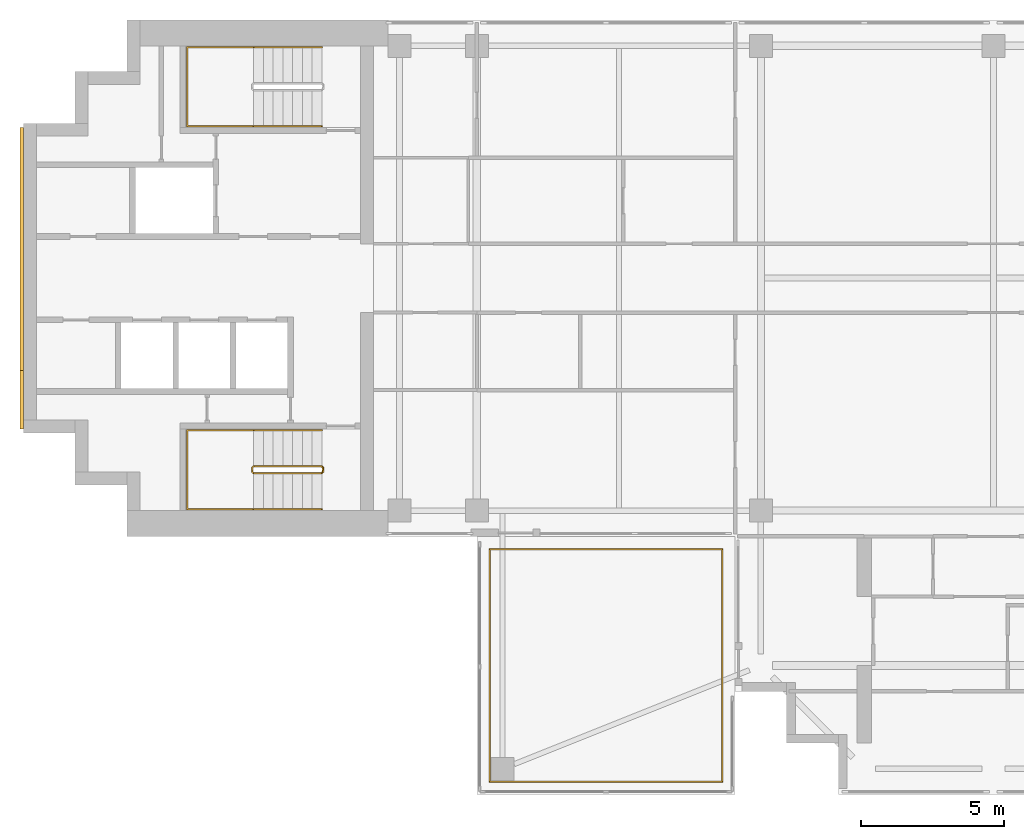
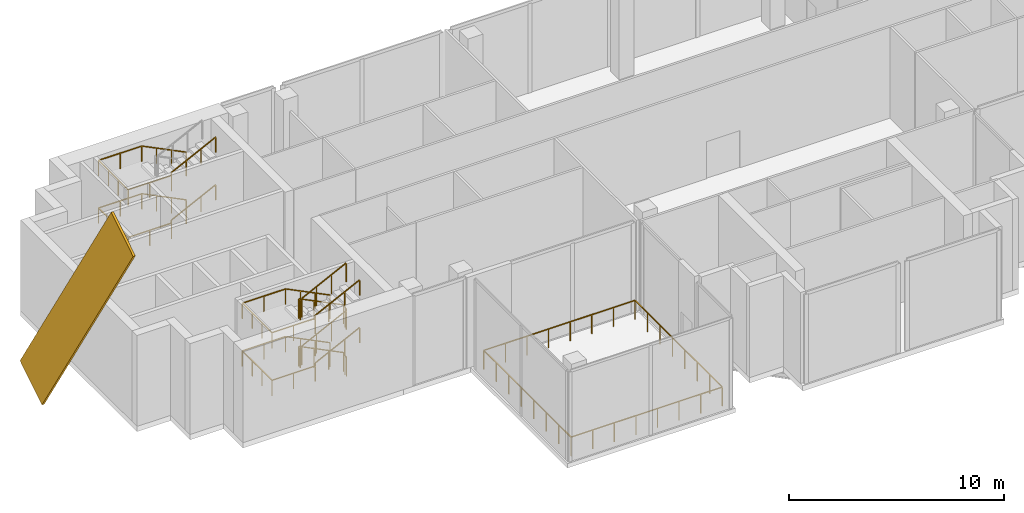
# One storey, part 12 of 14: 6 railings, 1 covering.
"""IFC4 building model written with IfcOpenShell, lengths in metres."""

from ifc_helpers import new_model, si_unit, direction, frame, origin, origin_2d, place, context, subcontext, project, spatial, rectangle, extrude, material, material_profile, profile_set, type_object, element, save


model = new_model("IFC4")

# Units and contexts
model_context = context("Model", 3, precision=1e-05, world=origin(), true_north=direction((0.0, 1.0)))
body_context = subcontext(model_context, "Body", "Model", "MODEL_VIEW")
ifc_project = project(units=[si_unit("LENGTHUNIT", "METRE"), si_unit("AREAUNIT", "SQUARE_METRE"), si_unit("VOLUMEUNIT", "CUBIC_METRE"), si_unit("PLANEANGLEUNIT", "RADIAN"), si_unit("MASSUNIT", "GRAM", prefix="KILO")], contexts=[model_context])

# Site, building, storey
site_placement = place(None, origin())
site = spatial("IfcSite", under=ifc_project, at=site_placement, CompositionType="ELEMENT")
building_placement = place(site_placement, origin())
building = spatial("IfcBuilding", under=site, at=building_placement, Name="Perihelion Cross Residences", CompositionType="ELEMENT")
storey_placement = place(building_placement, frame((0.0, 0.0, 285.0)))
storey = spatial("IfcBuildingStorey", under=building, at=storey_placement, Name="L73", CompositionType="ELEMENT", Elevation=285.0)

# Railing
ifc_material_1 = material(Name="Bronze anodised aluminium", Category="aluminium")
railing_type_1 = type_object("IfcRailingType", Name="Balcony guard 1100", PredefinedType="GUARDRAIL", material=ifc_material_1)
railing_1_placement = place(storey_placement, frame((-9.449951171875, -17.550048828125, 0.0)))
element("IfcRailing", 1, at=railing_1_placement, inside=storey, type_object=railing_type_1, Name="Guard GU1 L73 pocket south-west 1", PredefinedType="GUARDRAIL", context=body_context, shape_type="SweptSolid", body=[
    extrude(rectangle(XDim=0.048095703125, YDim=0.048095703125, at=origin_2d()), frame((0.0, 0.0, 1.076171875), z_axis=(-1.0, 0.0, 0.0), x_axis=(0.0, -1.0, 0.0)), (0.0, 0.0, 1.0), 8.10009765625),
    extrude(rectangle(XDim=0.048095703125, YDim=0.048095703125, at=origin_2d()), frame((-8.10009765625, 0.0, 1.076171875), z_axis=(0.0, 1.0, 0.0), x_axis=(-1.0, 0.0, 0.0)), (0.0, 0.0, 1.0), 8.10009765625),
    extrude(rectangle(XDim=0.048095703125, YDim=0.048095703125, at=origin_2d()), frame((-8.10009765625, 8.10009765625, 1.076171875), z_axis=(1.0, 0.0, 0.0), x_axis=(0.0, 1.0, 0.0)), (0.0, 0.0, 1.0), 8.10009765625),
    extrude(rectangle(XDim=0.048095703125, YDim=0.048095703125, at=origin_2d()), frame((0.0, 8.10009765625, 1.076171875), z_axis=(0.0, -1.0, 0.0), x_axis=(1.0, 0.0, 0.0)), (0.0, 0.0, 1.0), 8.10009765625),
    extrude(rectangle(XDim=0.0419921875, YDim=0.0419921875, at=origin_2d()), origin(), (0.0, 0.0, 1.0), 1.052001953125),
    extrude(rectangle(XDim=0.0419921875, YDim=0.0419921875, at=origin_2d()), frame((-1.1572265625, 0.0, 0.0)), (0.0, 0.0, 1.0), 1.052001953125),
    extrude(rectangle(XDim=0.0419921875, YDim=0.0419921875, at=origin_2d()), frame((-2.314208984375, 0.0, 0.0)), (0.0, 0.0, 1.0), 1.052001953125),
    extrude(rectangle(XDim=0.0419921875, YDim=0.0419921875, at=origin_2d()), frame((-3.471435546875, 0.0, 0.0)), (0.0, 0.0, 1.0), 1.052001953125),
    extrude(rectangle(XDim=0.0419921875, YDim=0.0419921875, at=origin_2d()), frame((-4.628662109375, 0.0, 0.0)), (0.0, 0.0, 1.0), 1.052001953125),
    extrude(rectangle(XDim=0.0419921875, YDim=0.0419921875, at=origin_2d()), frame((-5.785888671875, 0.0, 0.0)), (0.0, 0.0, 1.0), 1.052001953125),
    extrude(rectangle(XDim=0.0419921875, YDim=0.0419921875, at=origin_2d()), frame((-6.94287109375, 0.0, 0.0)), (0.0, 0.0, 1.0), 1.052001953125),
    extrude(rectangle(XDim=0.0419921875, YDim=0.0419921875, at=origin_2d()), frame((-8.10009765625, 0.0, 0.0)), (0.0, 0.0, 1.0), 1.052001953125),
    extrude(rectangle(XDim=0.0419921875, YDim=0.0419921875, at=origin_2d()), frame((-8.10009765625, 1.1572265625, 0.0)), (0.0, 0.0, 1.0), 1.052001953125),
    extrude(rectangle(XDim=0.0419921875, YDim=0.0419921875, at=origin_2d()), frame((-8.10009765625, 2.314208984375, 0.0)), (0.0, 0.0, 1.0), 1.052001953125),
    extrude(rectangle(XDim=0.0419921875, YDim=0.0419921875, at=origin_2d()), frame((-8.10009765625, 3.471435546875, 0.0)), (0.0, 0.0, 1.0), 1.052001953125),
    extrude(rectangle(XDim=0.0419921875, YDim=0.0419921875, at=origin_2d()), frame((-8.10009765625, 4.628662109375, 0.0)), (0.0, 0.0, 1.0), 1.052001953125),
    extrude(rectangle(XDim=0.0419921875, YDim=0.0419921875, at=origin_2d()), frame((-8.10009765625, 5.785888671875, 0.0)), (0.0, 0.0, 1.0), 1.052001953125),
    extrude(rectangle(XDim=0.0419921875, YDim=0.0419921875, at=origin_2d()), frame((-8.10009765625, 6.94287109375, 0.0)), (0.0, 0.0, 1.0), 1.052001953125),
    extrude(rectangle(XDim=0.0419921875, YDim=0.0419921875, at=origin_2d()), frame((-8.10009765625, 8.10009765625, 0.0)), (0.0, 0.0, 1.0), 1.052001953125),
    extrude(rectangle(XDim=0.0419921875, YDim=0.0419921875, at=origin_2d()), frame((-6.94287109375, 8.10009765625, 0.0)), (0.0, 0.0, 1.0), 1.052001953125),
    extrude(rectangle(XDim=0.0419921875, YDim=0.0419921875, at=origin_2d()), frame((-5.785888671875, 8.10009765625, 0.0)), (0.0, 0.0, 1.0), 1.052001953125),
    extrude(rectangle(XDim=0.0419921875, YDim=0.0419921875, at=origin_2d()), frame((-4.628662109375, 8.10009765625, 0.0)), (0.0, 0.0, 1.0), 1.052001953125),
    extrude(rectangle(XDim=0.0419921875, YDim=0.0419921875, at=origin_2d()), frame((-3.471435546875, 8.10009765625, 0.0)), (0.0, 0.0, 1.0), 1.052001953125),
    extrude(rectangle(XDim=0.0419921875, YDim=0.0419921875, at=origin_2d()), frame((-2.314208984375, 8.10009765625, 0.0)), (0.0, 0.0, 1.0), 1.052001953125),
    extrude(rectangle(XDim=0.0419921875, YDim=0.0419921875, at=origin_2d()), frame((-1.1572265625, 8.10009765625, 0.0)), (0.0, 0.0, 1.0), 1.052001953125),
    extrude(rectangle(XDim=0.0419921875, YDim=0.0419921875, at=origin_2d()), frame((0.0, 8.10009765625, 0.0)), (0.0, 0.0, 1.0), 1.052001953125),
    extrude(rectangle(XDim=0.0419921875, YDim=0.0419921875, at=origin_2d()), frame((0.0, 6.94287109375, 0.0)), (0.0, 0.0, 1.0), 1.052001953125),
    extrude(rectangle(XDim=0.0419921875, YDim=0.0419921875, at=origin_2d()), frame((0.0, 5.785888671875, 0.0)), (0.0, 0.0, 1.0), 1.052001953125),
    extrude(rectangle(XDim=0.0419921875, YDim=0.0419921875, at=origin_2d()), frame((0.0, 4.628662109375, 0.0)), (0.0, 0.0, 1.0), 1.052001953125),
    extrude(rectangle(XDim=0.0419921875, YDim=0.0419921875, at=origin_2d()), frame((0.0, 3.471435546875, 0.0)), (0.0, 0.0, 1.0), 1.052001953125),
    extrude(rectangle(XDim=0.0419921875, YDim=0.0419921875, at=origin_2d()), frame((0.0, 2.314208984375, 0.0)), (0.0, 0.0, 1.0), 1.052001953125),
    extrude(rectangle(XDim=0.0419921875, YDim=0.0419921875, at=origin_2d()), frame((0.0, 1.1572265625, 0.0)), (0.0, 0.0, 1.0), 1.052001953125),
])

# Covering
ifc_material_2 = material(Name="Bronze anodised aluminium", Category="aluminium")
ifc_material_profile = material_profile(ifc_material_2, rectangle(XDim=0.125, YDim=2.39990234375, at=origin_2d()), Name="Bronze cladding band 2400")
ifc_profile_set = profile_set([ifc_material_profile], Name="Bronze anodised aluminium")
covering_type = type_object("IfcCoveringType", Name="Bronze cladding band 2400", PredefinedType="CLADDING", material=ifc_profile_set)
covering_placement = place(storey_placement, frame((-33.862548828125, 4.232421875, -3.325927734375), z_axis=(0.0, -0.529924750763, 0.848044667767), x_axis=(1.0, 0.0, 0.0)))
element("IfcCovering", 2, at=covering_placement, inside=storey, type_object=covering_type, Name="Core cladding band, west core", PredefinedType="CLADDING", context=body_context, shape_type="SweptSolid", body=[
    extrude(rectangle(XDim=0.125, YDim=2.39990234375, at=origin_2d()), origin(), (0.0, 0.0, 1.0), 15.9736328125),
])

# Railings
ifc_material_3 = material(Name="Stainless steel", Category="steel")
railing_type_2 = type_object("IfcRailingType", Name="Stair guard 1100", PredefinedType="GUARDRAIL", material=ifc_material_3)
railing_2_placement = place(storey_placement, frame((-23.35009765625, -6.75, 0.0)))
element("IfcRailing", 3, at=railing_2_placement, inside=storey, type_object=railing_type_2, Name="L73 ST-W2 stair guard 1", PredefinedType="GUARDRAIL", context=body_context, shape_type="SweptSolid", body=[
    extrude(rectangle(XDim=0.048095703125, YDim=0.048095703125, at=origin_2d()), frame((0.0, 0.0, 1.076171875), z_axis=(0.0, 1.0, 0.0), x_axis=(-1.0, 0.0, 0.0)), (0.0, 0.0, 1.0), 0.14990234375),
    extrude(rectangle(XDim=0.048095703125, YDim=0.048095703125, at=origin_2d()), frame((0.0, 0.14990234375, 1.076171875), z_axis=(-0.272333783174, 0.273668752699, 0.922463942026), x_axis=(-0.708833529934, -0.705375805398, 0.0)), (0.0, 0.0, 1.0), 0.182861328125),
    extrude(rectangle(XDim=0.048095703125, YDim=0.048095703125, at=origin_2d()), frame((-0.0498046875, 0.199951171875, 1.24462890625), z_axis=(-0.895728066128, 0.0, 0.444602329674), x_axis=(0.0, -1.0, 0.0)), (0.0, 0.0, 1.0), 2.6572265625),
    extrude(rectangle(XDim=0.048095703125, YDim=0.048095703125, at=origin_2d()), frame((-2.429931640625, 0.199951171875, 2.42626953125), z_axis=(-0.707106781187, -0.707106781187, 0.0), x_axis=(0.707106781187, -0.707106781187, 0.0)), (0.0, 0.0, 1.0), 0.07080078125),
    extrude(rectangle(XDim=0.048095703125, YDim=0.048095703125, at=origin_2d()), frame((-2.47998046875, 0.14990234375, 2.42626953125), z_axis=(0.0, -1.0, 0.0), x_axis=(1.0, 0.0, 0.0)), (0.0, 0.0, 1.0), 0.14990234375),
    extrude(rectangle(XDim=0.048095703125, YDim=0.048095703125, at=origin_2d()), frame((-2.47998046875, 0.0, 2.42626953125), z_axis=(0.273569069059, -0.273569069059, 0.922127935218), x_axis=(0.707106781187, 0.707106781187, 0.0)), (0.0, 0.0, 1.0), 0.182861328125),
    extrude(rectangle(XDim=0.048095703125, YDim=0.048095703125, at=origin_2d()), frame((-2.429931640625, -0.050048828125, 2.5947265625), z_axis=(0.895764654725, 0.0, 0.444528608017), x_axis=(0.0, 1.0, 0.0)), (0.0, 0.0, 1.0), 2.656982421875),
    extrude(rectangle(XDim=0.048095703125, YDim=0.048095703125, at=origin_2d()), frame((-0.0498046875, -0.050048828125, 3.77587890625), z_axis=(0.241699205484, 0.970351222016, 0.0), x_axis=(-0.970351222016, 0.241699205484, 0.0)), (0.0, 0.0, 1.0), 0.2060546875),
    extrude(rectangle(XDim=0.048095703125, YDim=0.048095703125, at=origin_2d()), frame((0.0, 0.14990234375, 3.77587890625), z_axis=(0.0, -1.0, 0.0), x_axis=(1.0, 0.0, 0.0)), (0.0, 0.0, 1.0), 0.14990234375),
    extrude(rectangle(XDim=0.048095703125, YDim=0.048095703125, at=origin_2d()), frame((0.0, 0.0, 3.77587890625), z_axis=(-0.187017651923, 0.750820867278, 0.633476458228), x_axis=(-0.970351222016, -0.241699205484, 0.0)), (0.0, 0.0, 1.0), 0.266357421875),
    extrude(rectangle(XDim=0.048095703125, YDim=0.048095703125, at=origin_2d()), frame((-0.0498046875, 0.199951171875, 3.94482421875), z_axis=(-0.895728066128, 0.0, 0.444602329674), x_axis=(0.0, -1.0, 0.0)), (0.0, 0.0, 1.0), 2.6572265625),
    extrude(rectangle(XDim=0.048095703125, YDim=0.048095703125, at=origin_2d()), frame((-2.429931640625, 0.199951171875, 5.1259765625), z_axis=(-0.707106781187, -0.707106781187, 0.0), x_axis=(0.707106781187, -0.707106781187, 0.0)), (0.0, 0.0, 1.0), 0.07080078125),
    extrude(rectangle(XDim=0.048095703125, YDim=0.048095703125, at=origin_2d()), frame((-2.47998046875, 0.14990234375, 5.1259765625), z_axis=(0.0, -1.0, 0.0), x_axis=(1.0, 0.0, 0.0)), (0.0, 0.0, 1.0), 0.14990234375),
    extrude(rectangle(XDim=0.048095703125, YDim=0.048095703125, at=origin_2d()), frame((-2.47998046875, 0.0, 5.1259765625), z_axis=(0.273569069059, -0.273569069059, 0.922127935218), x_axis=(0.707106781187, 0.707106781187, 0.0)), (0.0, 0.0, 1.0), 0.182861328125),
    extrude(rectangle(XDim=0.048095703125, YDim=0.048095703125, at=origin_2d()), frame((-2.429931640625, -0.050048828125, 5.294921875), z_axis=(0.895764654725, 0.0, 0.444528608017), x_axis=(0.0, 1.0, 0.0)), (0.0, 0.0, 1.0), 2.656982421875),
    extrude(rectangle(XDim=0.0419921875, YDim=0.0419921875, at=origin_2d()), origin(), (0.0, 0.0, 1.0), 1.052001953125),
    extrude(rectangle(XDim=0.0419921875, YDim=0.0419921875, at=origin_2d()), frame((0.0, 0.14990234375, 0.0)), (0.0, 0.0, 1.0), 1.052001953125),
    extrude(rectangle(XDim=0.0419921875, YDim=0.0419921875, at=origin_2d()), frame((-0.0498046875, 0.199951171875, 0.168701171875)), (0.0, 0.0, 1.0), 1.052001953125),
    extrude(rectangle(XDim=0.0419921875, YDim=0.0419921875, at=origin_2d()), frame((-0.84326171875, 0.199951171875, 0.5625)), (0.0, 0.0, 1.0), 1.052001953125),
    extrude(rectangle(XDim=0.0419921875, YDim=0.0419921875, at=origin_2d()), frame((-1.636474609375, 0.199951171875, 0.956298828125)), (0.0, 0.0, 1.0), 1.052001953125),
    extrude(rectangle(XDim=0.0419921875, YDim=0.0419921875, at=origin_2d()), frame((-2.429931640625, 0.199951171875, 1.35009765625)), (0.0, 0.0, 1.0), 1.052001953125),
    extrude(rectangle(XDim=0.0419921875, YDim=0.0419921875, at=origin_2d()), frame((-2.47998046875, 0.14990234375, 1.35009765625)), (0.0, 0.0, 1.0), 1.052001953125),
    extrude(rectangle(XDim=0.0419921875, YDim=0.0419921875, at=origin_2d()), frame((-2.47998046875, 0.0, 1.35009765625)), (0.0, 0.0, 1.0), 1.052001953125),
    extrude(rectangle(XDim=0.0419921875, YDim=0.0419921875, at=origin_2d()), frame((-2.429931640625, -0.050048828125, 1.518798828125)), (0.0, 0.0, 1.0), 1.052001953125),
    extrude(rectangle(XDim=0.0419921875, YDim=0.0419921875, at=origin_2d()), frame((-1.636474609375, -0.050048828125, 1.91259765625)), (0.0, 0.0, 1.0), 1.052001953125),
    extrude(rectangle(XDim=0.0419921875, YDim=0.0419921875, at=origin_2d()), frame((-0.84326171875, -0.050048828125, 2.30615234375)), (0.0, 0.0, 1.0), 1.052001953125),
    extrude(rectangle(XDim=0.0419921875, YDim=0.0419921875, at=origin_2d()), frame((-0.0498046875, -0.050048828125, 2.699951171875)), (0.0, 0.0, 1.0), 1.052001953125),
    extrude(rectangle(XDim=0.0419921875, YDim=0.0419921875, at=origin_2d()), frame((0.0, 0.14990234375, 2.699951171875)), (0.0, 0.0, 1.0), 1.052001953125),
    extrude(rectangle(XDim=0.0419921875, YDim=0.0419921875, at=origin_2d()), frame((0.0, 0.0, 2.699951171875)), (0.0, 0.0, 1.0), 1.052001953125),
    extrude(rectangle(XDim=0.0419921875, YDim=0.0419921875, at=origin_2d()), frame((-0.0498046875, 0.199951171875, 2.86865234375)), (0.0, 0.0, 1.0), 1.052001953125),
    extrude(rectangle(XDim=0.0419921875, YDim=0.0419921875, at=origin_2d()), frame((-0.84326171875, 0.199951171875, 3.262451171875)), (0.0, 0.0, 1.0), 1.052001953125),
    extrude(rectangle(XDim=0.0419921875, YDim=0.0419921875, at=origin_2d()), frame((-1.636474609375, 0.199951171875, 3.65625)), (0.0, 0.0, 1.0), 1.052001953125),
    extrude(rectangle(XDim=0.0419921875, YDim=0.0419921875, at=origin_2d()), frame((-2.429931640625, 0.199951171875, 4.050048828125)), (0.0, 0.0, 1.0), 1.052001953125),
    extrude(rectangle(XDim=0.0419921875, YDim=0.0419921875, at=origin_2d()), frame((-2.47998046875, 0.14990234375, 4.050048828125)), (0.0, 0.0, 1.0), 1.052001953125),
    extrude(rectangle(XDim=0.0419921875, YDim=0.0419921875, at=origin_2d()), frame((-2.47998046875, 0.0, 4.050048828125)), (0.0, 0.0, 1.0), 1.052001953125),
    extrude(rectangle(XDim=0.0419921875, YDim=0.0419921875, at=origin_2d()), frame((-2.429931640625, -0.050048828125, 4.21875)), (0.0, 0.0, 1.0), 1.052001953125),
    extrude(rectangle(XDim=0.0419921875, YDim=0.0419921875, at=origin_2d()), frame((-1.636474609375, -0.050048828125, 4.612548828125)), (0.0, 0.0, 1.0), 1.052001953125),
    extrude(rectangle(XDim=0.0419921875, YDim=0.0419921875, at=origin_2d()), frame((-0.84326171875, -0.050048828125, 5.006103515625)), (0.0, 0.0, 1.0), 1.052001953125),
    extrude(rectangle(XDim=0.0419921875, YDim=0.0419921875, at=origin_2d()), frame((-0.0498046875, -0.050048828125, 5.39990234375)), (0.0, 0.0, 1.0), 1.052001953125),
])
ifc_material_4 = material(Name="Stainless steel", Category="steel")
railing_type_3 = type_object("IfcRailingType", Name="Stair handrail 900", PredefinedType="HANDRAIL", material=ifc_material_4)
railing_3_placement = place(storey_placement, frame((-23.39990234375, 8.050048828125, 0.168701171875)))
element("IfcRailing", 4, at=railing_3_placement, inside=storey, type_object=railing_type_3, Name="L73 ST-W1 stair handrail 1", PredefinedType="HANDRAIL", context=body_context, shape_type="SweptSolid", body=[
    extrude(rectangle(XDim=0.048095703125, YDim=0.048095703125, at=origin_2d()), frame((0.0, 0.0, 0.8759765625), z_axis=(-0.895728066128, 0.0, 0.444602329674), x_axis=(0.0, -1.0, 0.0)), (0.0, 0.0, 1.0), 2.6572265625),
    extrude(rectangle(XDim=0.048095703125, YDim=0.048095703125, at=origin_2d()), frame((-2.380126953125, 0.0, 2.05712890625), z_axis=(-1.0, 0.0, 0.0), x_axis=(0.0, -1.0, 0.0)), (0.0, 0.0, 1.0), 2.320068359375),
    extrude(rectangle(XDim=0.048095703125, YDim=0.048095703125, at=origin_2d()), frame((-4.7001953125, 0.0, 2.05712890625), z_axis=(0.0, -1.0, 0.0), x_axis=(1.0, 0.0, 0.0)), (0.0, 0.0, 1.0), 2.75),
    extrude(rectangle(XDim=0.048095703125, YDim=0.048095703125, at=origin_2d()), frame((-4.7001953125, -2.75, 2.05712890625), z_axis=(1.0, 0.0, 0.0), x_axis=(0.0, 1.0, 0.0)), (0.0, 0.0, 1.0), 2.320068359375),
    extrude(rectangle(XDim=0.048095703125, YDim=0.048095703125, at=origin_2d()), frame((-2.380126953125, -2.75, 2.05712890625), z_axis=(0.0, 0.0, 1.0), x_axis=(1.0, 0.0, 0.0)), (0.0, 0.0, 1.0), 0.168701171875),
    extrude(rectangle(XDim=0.048095703125, YDim=0.048095703125, at=origin_2d()), frame((-2.380126953125, -2.75, 2.22607421875), z_axis=(0.895764654725, 0.0, 0.444528608017), x_axis=(0.0, 1.0, 0.0)), (0.0, 0.0, 1.0), 2.656982421875),
    extrude(rectangle(XDim=0.0419921875, YDim=0.0419921875, at=origin_2d()), origin(), (0.0, 0.0, 1.0), 0.851806640625),
    extrude(rectangle(XDim=0.0419921875, YDim=0.0419921875, at=origin_2d()), frame((-0.79345703125, 0.0, 0.393798828125)), (0.0, 0.0, 1.0), 0.851806640625),
    extrude(rectangle(XDim=0.0419921875, YDim=0.0419921875, at=origin_2d()), frame((-1.586669921875, 0.0, 0.78759765625)), (0.0, 0.0, 1.0), 0.851806640625),
    extrude(rectangle(XDim=0.0419921875, YDim=0.0419921875, at=origin_2d()), frame((-2.380126953125, 0.0, 1.181396484375)), (0.0, 0.0, 1.0), 0.851806640625),
    extrude(rectangle(XDim=0.0419921875, YDim=0.0419921875, at=origin_2d()), frame((-3.5400390625, 0.0, 1.181396484375)), (0.0, 0.0, 1.0), 0.851806640625),
    extrude(rectangle(XDim=0.0419921875, YDim=0.0419921875, at=origin_2d()), frame((-4.7001953125, 0.0, 1.181396484375)), (0.0, 0.0, 1.0), 0.851806640625),
    extrude(rectangle(XDim=0.0419921875, YDim=0.0419921875, at=origin_2d()), frame((-4.7001953125, -0.916748046875, 1.181396484375)), (0.0, 0.0, 1.0), 0.851806640625),
    extrude(rectangle(XDim=0.0419921875, YDim=0.0419921875, at=origin_2d()), frame((-4.7001953125, -1.833251953125, 1.181396484375)), (0.0, 0.0, 1.0), 0.851806640625),
    extrude(rectangle(XDim=0.0419921875, YDim=0.0419921875, at=origin_2d()), frame((-4.7001953125, -2.75, 1.181396484375)), (0.0, 0.0, 1.0), 0.851806640625),
    extrude(rectangle(XDim=0.0419921875, YDim=0.0419921875, at=origin_2d()), frame((-3.5400390625, -2.75, 1.181396484375)), (0.0, 0.0, 1.0), 0.851806640625),
    extrude(rectangle(XDim=0.0419921875, YDim=0.0419921875, at=origin_2d()), frame((-2.380126953125, -2.75, 1.181396484375)), (0.0, 0.0, 1.0), 0.851806640625),
    extrude(rectangle(XDim=0.0419921875, YDim=0.0419921875, at=origin_2d()), frame((-2.380126953125, -2.75, 1.35009765625)), (0.0, 0.0, 1.0), 0.851806640625),
    extrude(rectangle(XDim=0.0419921875, YDim=0.0419921875, at=origin_2d()), frame((-1.586669921875, -2.75, 1.743896484375)), (0.0, 0.0, 1.0), 0.851806640625),
    extrude(rectangle(XDim=0.0419921875, YDim=0.0419921875, at=origin_2d()), frame((-0.79345703125, -2.75, 2.137451171875)), (0.0, 0.0, 1.0), 0.851806640625),
    extrude(rectangle(XDim=0.0419921875, YDim=0.0419921875, at=origin_2d()), frame((0.0, -2.75, 2.53125)), (0.0, 0.0, 1.0), 0.851806640625),
])
railing_4_placement = place(storey_placement, frame((-23.39990234375, 8.050048828125, 2.86865234375)))
element("IfcRailing", 5, at=railing_4_placement, inside=storey, type_object=railing_type_3, Name="L73 ST-W1 stair handrail 2", PredefinedType="HANDRAIL", context=body_context, shape_type="SweptSolid", body=[
    extrude(rectangle(XDim=0.048095703125, YDim=0.048095703125, at=origin_2d()), frame((0.0, 0.0, 0.8759765625), z_axis=(-0.895728066128, 0.0, 0.444602329674), x_axis=(0.0, -1.0, 0.0)), (0.0, 0.0, 1.0), 2.6572265625),
    extrude(rectangle(XDim=0.048095703125, YDim=0.048095703125, at=origin_2d()), frame((-2.380126953125, 0.0, 2.05712890625), z_axis=(-1.0, 0.0, 0.0), x_axis=(0.0, -1.0, 0.0)), (0.0, 0.0, 1.0), 2.320068359375),
    extrude(rectangle(XDim=0.048095703125, YDim=0.048095703125, at=origin_2d()), frame((-4.7001953125, 0.0, 2.05712890625), z_axis=(0.0, -1.0, 0.0), x_axis=(1.0, 0.0, 0.0)), (0.0, 0.0, 1.0), 2.75),
    extrude(rectangle(XDim=0.048095703125, YDim=0.048095703125, at=origin_2d()), frame((-4.7001953125, -2.75, 2.05712890625), z_axis=(1.0, 0.0, 0.0), x_axis=(0.0, 1.0, 0.0)), (0.0, 0.0, 1.0), 2.320068359375),
    extrude(rectangle(XDim=0.048095703125, YDim=0.048095703125, at=origin_2d()), frame((-2.380126953125, -2.75, 2.05712890625), z_axis=(0.0, 0.0, 1.0), x_axis=(1.0, 0.0, 0.0)), (0.0, 0.0, 1.0), 0.168701171875),
    extrude(rectangle(XDim=0.048095703125, YDim=0.048095703125, at=origin_2d()), frame((-2.380126953125, -2.75, 2.22607421875), z_axis=(0.895764654725, 0.0, 0.444528608017), x_axis=(0.0, 1.0, 0.0)), (0.0, 0.0, 1.0), 2.656982421875),
    extrude(rectangle(XDim=0.0419921875, YDim=0.0419921875, at=origin_2d()), origin(), (0.0, 0.0, 1.0), 0.851806640625),
    extrude(rectangle(XDim=0.0419921875, YDim=0.0419921875, at=origin_2d()), frame((-0.79345703125, 0.0, 0.393798828125)), (0.0, 0.0, 1.0), 0.851806640625),
    extrude(rectangle(XDim=0.0419921875, YDim=0.0419921875, at=origin_2d()), frame((-1.586669921875, 0.0, 0.78759765625)), (0.0, 0.0, 1.0), 0.851806640625),
    extrude(rectangle(XDim=0.0419921875, YDim=0.0419921875, at=origin_2d()), frame((-2.380126953125, 0.0, 1.181396484375)), (0.0, 0.0, 1.0), 0.851806640625),
    extrude(rectangle(XDim=0.0419921875, YDim=0.0419921875, at=origin_2d()), frame((-3.5400390625, 0.0, 1.181396484375)), (0.0, 0.0, 1.0), 0.851806640625),
    extrude(rectangle(XDim=0.0419921875, YDim=0.0419921875, at=origin_2d()), frame((-4.7001953125, 0.0, 1.181396484375)), (0.0, 0.0, 1.0), 0.851806640625),
    extrude(rectangle(XDim=0.0419921875, YDim=0.0419921875, at=origin_2d()), frame((-4.7001953125, -0.916748046875, 1.181396484375)), (0.0, 0.0, 1.0), 0.851806640625),
    extrude(rectangle(XDim=0.0419921875, YDim=0.0419921875, at=origin_2d()), frame((-4.7001953125, -1.833251953125, 1.181396484375)), (0.0, 0.0, 1.0), 0.851806640625),
    extrude(rectangle(XDim=0.0419921875, YDim=0.0419921875, at=origin_2d()), frame((-4.7001953125, -2.75, 1.181396484375)), (0.0, 0.0, 1.0), 0.851806640625),
    extrude(rectangle(XDim=0.0419921875, YDim=0.0419921875, at=origin_2d()), frame((-3.5400390625, -2.75, 1.181396484375)), (0.0, 0.0, 1.0), 0.851806640625),
    extrude(rectangle(XDim=0.0419921875, YDim=0.0419921875, at=origin_2d()), frame((-2.380126953125, -2.75, 1.181396484375)), (0.0, 0.0, 1.0), 0.851806640625),
    extrude(rectangle(XDim=0.0419921875, YDim=0.0419921875, at=origin_2d()), frame((-2.380126953125, -2.75, 1.35009765625)), (0.0, 0.0, 1.0), 0.851806640625),
    extrude(rectangle(XDim=0.0419921875, YDim=0.0419921875, at=origin_2d()), frame((-1.586669921875, -2.75, 1.743896484375)), (0.0, 0.0, 1.0), 0.851806640625),
    extrude(rectangle(XDim=0.0419921875, YDim=0.0419921875, at=origin_2d()), frame((-0.79345703125, -2.75, 2.137451171875)), (0.0, 0.0, 1.0), 0.851806640625),
    extrude(rectangle(XDim=0.0419921875, YDim=0.0419921875, at=origin_2d()), frame((0.0, -2.75, 2.53125)), (0.0, 0.0, 1.0), 0.851806640625),
])
railing_5_placement = place(storey_placement, frame((-23.39990234375, -5.300048828125, 0.168701171875)))
element("IfcRailing", 6, at=railing_5_placement, inside=storey, type_object=railing_type_3, Name="L73 ST-W2 stair handrail 1", PredefinedType="HANDRAIL", context=body_context, shape_type="SweptSolid", body=[
    extrude(rectangle(XDim=0.048095703125, YDim=0.048095703125, at=origin_2d()), frame((0.0, 0.0, 0.8759765625), z_axis=(-0.895728066128, 0.0, 0.444602329674), x_axis=(0.0, -1.0, 0.0)), (0.0, 0.0, 1.0), 2.6572265625),
    extrude(rectangle(XDim=0.048095703125, YDim=0.048095703125, at=origin_2d()), frame((-2.380126953125, 0.0, 2.05712890625), z_axis=(-1.0, 0.0, 0.0), x_axis=(0.0, -1.0, 0.0)), (0.0, 0.0, 1.0), 2.320068359375),
    extrude(rectangle(XDim=0.048095703125, YDim=0.048095703125, at=origin_2d()), frame((-4.7001953125, 0.0, 2.05712890625), z_axis=(0.0, -1.0, 0.0), x_axis=(1.0, 0.0, 0.0)), (0.0, 0.0, 1.0), 2.75),
    extrude(rectangle(XDim=0.048095703125, YDim=0.048095703125, at=origin_2d()), frame((-4.7001953125, -2.75, 2.05712890625), z_axis=(1.0, 0.0, 0.0), x_axis=(0.0, 1.0, 0.0)), (0.0, 0.0, 1.0), 2.320068359375),
    extrude(rectangle(XDim=0.048095703125, YDim=0.048095703125, at=origin_2d()), frame((-2.380126953125, -2.75, 2.05712890625), z_axis=(0.0, 0.0, 1.0), x_axis=(1.0, 0.0, 0.0)), (0.0, 0.0, 1.0), 0.168701171875),
    extrude(rectangle(XDim=0.048095703125, YDim=0.048095703125, at=origin_2d()), frame((-2.380126953125, -2.75, 2.22607421875), z_axis=(0.895764654725, 0.0, 0.444528608017), x_axis=(0.0, 1.0, 0.0)), (0.0, 0.0, 1.0), 2.656982421875),
    extrude(rectangle(XDim=0.0419921875, YDim=0.0419921875, at=origin_2d()), origin(), (0.0, 0.0, 1.0), 0.851806640625),
    extrude(rectangle(XDim=0.0419921875, YDim=0.0419921875, at=origin_2d()), frame((-0.79345703125, 0.0, 0.393798828125)), (0.0, 0.0, 1.0), 0.851806640625),
    extrude(rectangle(XDim=0.0419921875, YDim=0.0419921875, at=origin_2d()), frame((-1.586669921875, 0.0, 0.78759765625)), (0.0, 0.0, 1.0), 0.851806640625),
    extrude(rectangle(XDim=0.0419921875, YDim=0.0419921875, at=origin_2d()), frame((-2.380126953125, 0.0, 1.181396484375)), (0.0, 0.0, 1.0), 0.851806640625),
    extrude(rectangle(XDim=0.0419921875, YDim=0.0419921875, at=origin_2d()), frame((-3.5400390625, 0.0, 1.181396484375)), (0.0, 0.0, 1.0), 0.851806640625),
    extrude(rectangle(XDim=0.0419921875, YDim=0.0419921875, at=origin_2d()), frame((-4.7001953125, 0.0, 1.181396484375)), (0.0, 0.0, 1.0), 0.851806640625),
    extrude(rectangle(XDim=0.0419921875, YDim=0.0419921875, at=origin_2d()), frame((-4.7001953125, -0.916748046875, 1.181396484375)), (0.0, 0.0, 1.0), 0.851806640625),
    extrude(rectangle(XDim=0.0419921875, YDim=0.0419921875, at=origin_2d()), frame((-4.7001953125, -1.833251953125, 1.181396484375)), (0.0, 0.0, 1.0), 0.851806640625),
    extrude(rectangle(XDim=0.0419921875, YDim=0.0419921875, at=origin_2d()), frame((-4.7001953125, -2.75, 1.181396484375)), (0.0, 0.0, 1.0), 0.851806640625),
    extrude(rectangle(XDim=0.0419921875, YDim=0.0419921875, at=origin_2d()), frame((-3.5400390625, -2.75, 1.181396484375)), (0.0, 0.0, 1.0), 0.851806640625),
    extrude(rectangle(XDim=0.0419921875, YDim=0.0419921875, at=origin_2d()), frame((-2.380126953125, -2.75, 1.181396484375)), (0.0, 0.0, 1.0), 0.851806640625),
    extrude(rectangle(XDim=0.0419921875, YDim=0.0419921875, at=origin_2d()), frame((-2.380126953125, -2.75, 1.35009765625)), (0.0, 0.0, 1.0), 0.851806640625),
    extrude(rectangle(XDim=0.0419921875, YDim=0.0419921875, at=origin_2d()), frame((-1.586669921875, -2.75, 1.743896484375)), (0.0, 0.0, 1.0), 0.851806640625),
    extrude(rectangle(XDim=0.0419921875, YDim=0.0419921875, at=origin_2d()), frame((-0.79345703125, -2.75, 2.137451171875)), (0.0, 0.0, 1.0), 0.851806640625),
    extrude(rectangle(XDim=0.0419921875, YDim=0.0419921875, at=origin_2d()), frame((0.0, -2.75, 2.53125)), (0.0, 0.0, 1.0), 0.851806640625),
])
railing_6_placement = place(storey_placement, frame((-23.39990234375, -5.300048828125, 2.86865234375)))
element("IfcRailing", 7, at=railing_6_placement, inside=storey, type_object=railing_type_3, Name="L73 ST-W2 stair handrail 2", PredefinedType="HANDRAIL", context=body_context, shape_type="SweptSolid", body=[
    extrude(rectangle(XDim=0.048095703125, YDim=0.048095703125, at=origin_2d()), frame((0.0, 0.0, 0.8759765625), z_axis=(-0.895728066128, 0.0, 0.444602329674), x_axis=(0.0, -1.0, 0.0)), (0.0, 0.0, 1.0), 2.6572265625),
    extrude(rectangle(XDim=0.048095703125, YDim=0.048095703125, at=origin_2d()), frame((-2.380126953125, 0.0, 2.05712890625), z_axis=(-1.0, 0.0, 0.0), x_axis=(0.0, -1.0, 0.0)), (0.0, 0.0, 1.0), 2.320068359375),
    extrude(rectangle(XDim=0.048095703125, YDim=0.048095703125, at=origin_2d()), frame((-4.7001953125, 0.0, 2.05712890625), z_axis=(0.0, -1.0, 0.0), x_axis=(1.0, 0.0, 0.0)), (0.0, 0.0, 1.0), 2.75),
    extrude(rectangle(XDim=0.048095703125, YDim=0.048095703125, at=origin_2d()), frame((-4.7001953125, -2.75, 2.05712890625), z_axis=(1.0, 0.0, 0.0), x_axis=(0.0, 1.0, 0.0)), (0.0, 0.0, 1.0), 2.320068359375),
    extrude(rectangle(XDim=0.048095703125, YDim=0.048095703125, at=origin_2d()), frame((-2.380126953125, -2.75, 2.05712890625), z_axis=(0.0, 0.0, 1.0), x_axis=(1.0, 0.0, 0.0)), (0.0, 0.0, 1.0), 0.168701171875),
    extrude(rectangle(XDim=0.048095703125, YDim=0.048095703125, at=origin_2d()), frame((-2.380126953125, -2.75, 2.22607421875), z_axis=(0.895764654725, 0.0, 0.444528608017), x_axis=(0.0, 1.0, 0.0)), (0.0, 0.0, 1.0), 2.656982421875),
    extrude(rectangle(XDim=0.0419921875, YDim=0.0419921875, at=origin_2d()), origin(), (0.0, 0.0, 1.0), 0.851806640625),
    extrude(rectangle(XDim=0.0419921875, YDim=0.0419921875, at=origin_2d()), frame((-0.79345703125, 0.0, 0.393798828125)), (0.0, 0.0, 1.0), 0.851806640625),
    extrude(rectangle(XDim=0.0419921875, YDim=0.0419921875, at=origin_2d()), frame((-1.586669921875, 0.0, 0.78759765625)), (0.0, 0.0, 1.0), 0.851806640625),
    extrude(rectangle(XDim=0.0419921875, YDim=0.0419921875, at=origin_2d()), frame((-2.380126953125, 0.0, 1.181396484375)), (0.0, 0.0, 1.0), 0.851806640625),
    extrude(rectangle(XDim=0.0419921875, YDim=0.0419921875, at=origin_2d()), frame((-3.5400390625, 0.0, 1.181396484375)), (0.0, 0.0, 1.0), 0.851806640625),
    extrude(rectangle(XDim=0.0419921875, YDim=0.0419921875, at=origin_2d()), frame((-4.7001953125, 0.0, 1.181396484375)), (0.0, 0.0, 1.0), 0.851806640625),
    extrude(rectangle(XDim=0.0419921875, YDim=0.0419921875, at=origin_2d()), frame((-4.7001953125, -0.916748046875, 1.181396484375)), (0.0, 0.0, 1.0), 0.851806640625),
    extrude(rectangle(XDim=0.0419921875, YDim=0.0419921875, at=origin_2d()), frame((-4.7001953125, -1.833251953125, 1.181396484375)), (0.0, 0.0, 1.0), 0.851806640625),
    extrude(rectangle(XDim=0.0419921875, YDim=0.0419921875, at=origin_2d()), frame((-4.7001953125, -2.75, 1.181396484375)), (0.0, 0.0, 1.0), 0.851806640625),
    extrude(rectangle(XDim=0.0419921875, YDim=0.0419921875, at=origin_2d()), frame((-3.5400390625, -2.75, 1.181396484375)), (0.0, 0.0, 1.0), 0.851806640625),
    extrude(rectangle(XDim=0.0419921875, YDim=0.0419921875, at=origin_2d()), frame((-2.380126953125, -2.75, 1.181396484375)), (0.0, 0.0, 1.0), 0.851806640625),
    extrude(rectangle(XDim=0.0419921875, YDim=0.0419921875, at=origin_2d()), frame((-2.380126953125, -2.75, 1.35009765625)), (0.0, 0.0, 1.0), 0.851806640625),
    extrude(rectangle(XDim=0.0419921875, YDim=0.0419921875, at=origin_2d()), frame((-1.586669921875, -2.75, 1.743896484375)), (0.0, 0.0, 1.0), 0.851806640625),
    extrude(rectangle(XDim=0.0419921875, YDim=0.0419921875, at=origin_2d()), frame((-0.79345703125, -2.75, 2.137451171875)), (0.0, 0.0, 1.0), 0.851806640625),
    extrude(rectangle(XDim=0.0419921875, YDim=0.0419921875, at=origin_2d()), frame((0.0, -2.75, 2.53125)), (0.0, 0.0, 1.0), 0.851806640625),
])

save(model, "model.ifc")
